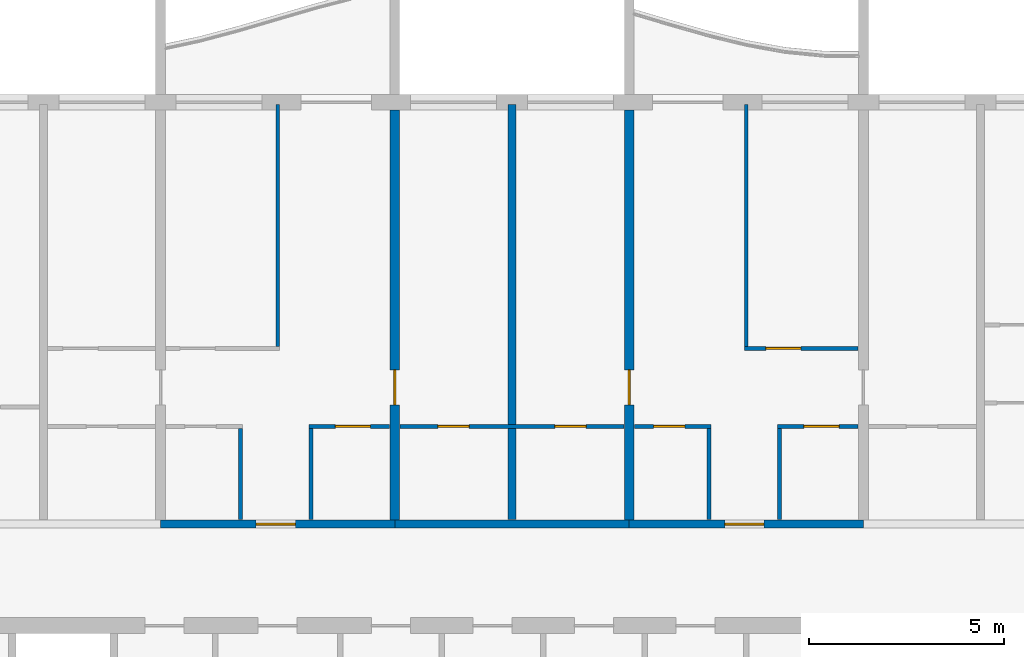
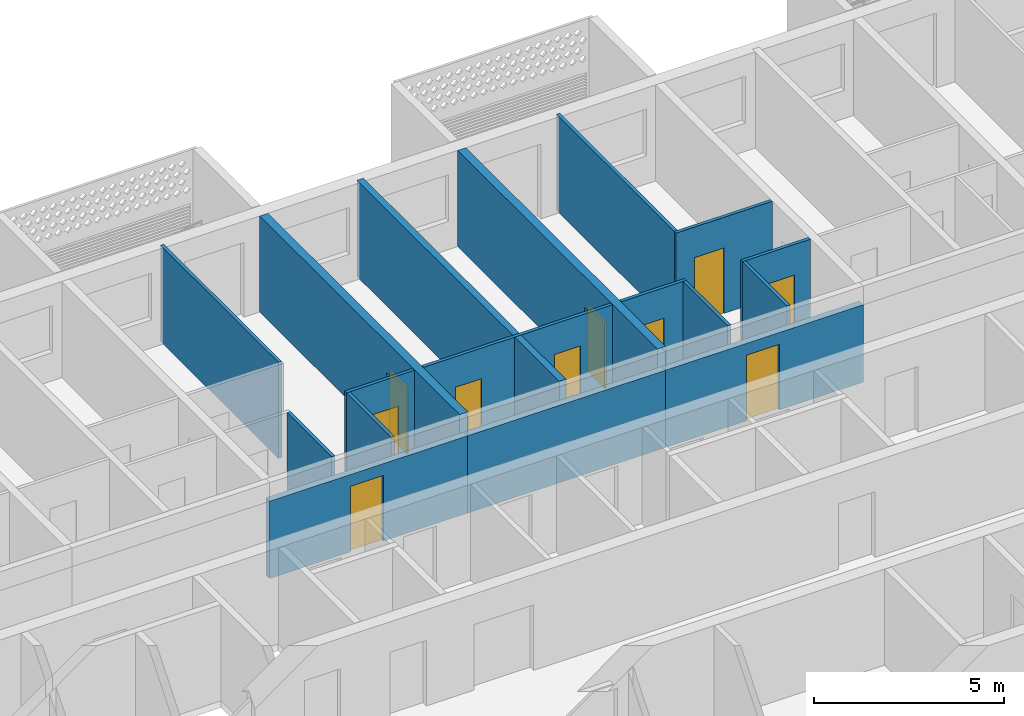
# One storey, part 9 of 27: 17 walls, 10 doors, 10 openings.
"""IFC4 building model written with IfcOpenShell, lengths in metres."""

from ifc_helpers import new_model, si_unit, direction, frame, frame_2d, origin, place, context, subcontext, project, spatial, rectangle, extrude, material, layer, layer_set, type_object, element, fill, save


model = new_model("IFC4")

# Units and contexts
model_context = context("Model", 3, precision=1e-05, world=origin(), true_north=direction((0.0, 1.0)))
body_context = subcontext(model_context, "Body", "Model", "MODEL_VIEW")
ifc_project = project(units=[si_unit("LENGTHUNIT", "METRE"), si_unit("AREAUNIT", "SQUARE_METRE"), si_unit("VOLUMEUNIT", "CUBIC_METRE"), si_unit("PLANEANGLEUNIT", "RADIAN"), si_unit("MASSUNIT", "GRAM", prefix="KILO")], contexts=[model_context])

# Site, building, storey
site_placement = place(None, origin())
site = spatial("IfcSite", under=ifc_project, at=site_placement, CompositionType="ELEMENT")
building_placement = place(site_placement, origin())
building = spatial("IfcBuilding", under=site, at=building_placement, Name="Poui Terraces", CompositionType="ELEMENT")
storey_placement = place(building_placement, frame((0.0, 0.0, 204.89990234375)))
storey = spatial("IfcBuildingStorey", under=building, at=storey_placement, Name="L57", CompositionType="ELEMENT", Elevation=204.89990234375)

# Wall, opening, door
ifc_material_1 = material(Name="Concrete 50 MPa", Category="concrete")
ifc_layer_1 = layer(ifc_material_1, 0.199951171875)
ifc_layer_set_1 = layer_set([ifc_layer_1], Name="Concrete 50 MPa")
wall_type_1 = type_object("IfcWallType", Name="CORRIDOR WALL 200 50MPa", PredefinedType="SHEAR", material=ifc_layer_set_1)
wall_1_placement = place(storey_placement, frame((48.0, 30.39990234375, 0.0), z_axis=(0.0, 0.0, 1.0), x_axis=(1.0, 0.0, 0.0)))
wall_1 = element("IfcWall", 1, at=wall_1_placement, inside=storey, type_object=wall_type_1, Name="CORRIDOR WALL LINE E BAY 6", PredefinedType="SHEAR", context=body_context, shape_type="SweptSolid", body=[
    extrude(rectangle(XDim=6.0, YDim=0.199951171875, at=frame_2d((3.0, 0.0))), origin(), (0.0, 0.0, 1.0), 2.47998046875),
])
opening_1_placement = place(wall_1_placement, frame((2.449951171875, 0.0, 0.0)))
opening_1 = element("IfcOpeningElement", 2, at=opening_1_placement, cuts=wall_1, Name="Opening FD30S", PredefinedType="OPENING", context=body_context, shape_type="SweptSolid", body=[
    extrude(rectangle(XDim=1.0, YDim=2.10009765625, at=frame_2d((0.5, 1.050048828125))), frame((0.0, 0.10986328125, 0.0), z_axis=(0.0, -1.0, 0.0), x_axis=(1.0, 0.0, 0.0)), (0.0, 0.0, 1.0), 0.219970703125),
])
ifc_material_2 = material(Name="Steel fire door", Category="steel")
door_type_1 = type_object("IfcDoorType", Name="FLAT ENTRANCE DOOR 1000 X 2100", OperationType="NOTDEFINED", PredefinedType="DOOR", material=ifc_material_2)
door_1_placement = place(opening_1_placement, origin())
door_1 = element("IfcDoor", 3, at=door_1_placement, inside=storey, type_object=door_type_1, Name="FLAT ENTRANCE DOOR 046", OperationType="SINGLE_SWING_LEFT", OverallHeight=2.10009765625, OverallWidth=1.0, PredefinedType="DOOR", context=body_context, shape_type="SweptSolid", body=[
    extrude(rectangle(XDim=1.0, YDim=2.10009765625, at=frame_2d((0.5, 1.050048828125))), frame((0.0, 0.02490234375, 0.0), z_axis=(0.0, -1.0, 0.0), x_axis=(1.0, 0.0, 0.0)), (0.0, 0.0, 1.0), 0.050048828125),
])
fill(opening_1, door_1)

# Wall
wall_2_placement = place(storey_placement, frame((54.0, 30.39990234375, 0.0), z_axis=(0.0, 0.0, 1.0), x_axis=(1.0, 0.0, 0.0)))
element("IfcWall", 4, at=wall_2_placement, inside=storey, type_object=wall_type_1, Name="CORRIDOR WALL LINE E BAY 7", PredefinedType="SHEAR", context=body_context, shape_type="SweptSolid", body=[
    extrude(rectangle(XDim=6.0, YDim=0.199951171875, at=frame_2d((3.0, 0.0))), origin(), (0.0, 0.0, 1.0), 2.47998046875),
])

# Wall, opening, door
wall_3_placement = place(storey_placement, frame((60.0, 30.39990234375, 0.0), z_axis=(0.0, 0.0, 1.0), x_axis=(1.0, 0.0, 0.0)))
wall_3 = element("IfcWall", 5, at=wall_3_placement, inside=storey, type_object=wall_type_1, Name="CORRIDOR WALL LINE E BAY 8", PredefinedType="SHEAR", context=body_context, shape_type="SweptSolid", body=[
    extrude(rectangle(XDim=6.0, YDim=0.199951171875, at=frame_2d((3.0, 0.0))), origin(), (0.0, 0.0, 1.0), 2.47998046875),
])
opening_2_placement = place(wall_3_placement, frame((2.449951171875, 0.0, 0.0)))
opening_2 = element("IfcOpeningElement", 6, at=opening_2_placement, cuts=wall_3, Name="Opening FD30S", PredefinedType="OPENING", context=body_context, shape_type="SweptSolid", body=[
    extrude(rectangle(XDim=1.0, YDim=2.10009765625, at=frame_2d((0.5, 1.050048828125))), frame((0.0, 0.10986328125, 0.0), z_axis=(0.0, -1.0, 0.0), x_axis=(1.0, 0.0, 0.0)), (0.0, 0.0, 1.0), 0.219970703125),
])
door_2_placement = place(opening_2_placement, origin())
door_2 = element("IfcDoor", 7, at=door_2_placement, inside=storey, type_object=door_type_1, Name="FLAT ENTRANCE DOOR 053", OperationType="SINGLE_SWING_LEFT", OverallHeight=2.10009765625, OverallWidth=1.0, PredefinedType="DOOR", context=body_context, shape_type="SweptSolid", body=[
    extrude(rectangle(XDim=1.0, YDim=2.10009765625, at=frame_2d((0.5, 1.050048828125))), frame((0.0, 0.02490234375, 0.0), z_axis=(0.0, -1.0, 0.0), x_axis=(1.0, 0.0, 0.0)), (0.0, 0.0, 1.0), 0.050048828125),
])
fill(opening_2, door_2)

ifc_layer_2 = layer(ifc_material_1, 0.25)
ifc_layer_set_2 = layer_set([ifc_layer_2], Name="Concrete 50 MPa")
wall_type_2 = type_object("IfcWallType", Name="CROSS WALL 250 50MPa", PredefinedType="SHEAR", material=ifc_layer_set_2)
wall_4_placement = place(storey_placement, frame((54.0, 30.5, 0.0), z_axis=(0.0, 0.0, 1.0), x_axis=(0.0, 1.0, 0.0)))
wall_4 = element("IfcWall", 8, at=wall_4_placement, inside=storey, type_object=wall_type_2, Name="CROSS WALL LINE 10 NORTH", PredefinedType="SHEAR", context=body_context, shape_type="SweptSolid", body=[
    extrude(rectangle(XDim=10.5, YDim=0.25, at=frame_2d((5.25, 0.0))), origin(), (0.0, 0.0, 1.0), 3.080078125),
])
opening_3_placement = place(wall_4_placement, frame((2.949951171875, 0.0, 0.0)))
opening_3 = element("IfcOpeningElement", 9, at=opening_3_placement, cuts=wall_4, Name="Opening D90", PredefinedType="OPENING", context=body_context, shape_type="SweptSolid", body=[
    extrude(rectangle(XDim=0.89990234375, YDim=2.10009765625, at=frame_2d((0.449951171875, 1.050048828125))), frame((0.0, 0.135009765625, 0.0), z_axis=(0.0, -1.0, 0.0), x_axis=(1.0, 0.0, 0.0)), (0.0, 0.0, 1.0), 0.27001953125),
])
ifc_material_3 = material(Name="Solid core timber door", Category="wood")
door_type_2 = type_object("IfcDoorType", Name="INTERNAL DOOR 900 X 2100", OperationType="NOTDEFINED", PredefinedType="DOOR", material=ifc_material_3)
door_3_placement = place(opening_3_placement, frame((0.89990234375, 0.0, 0.0), z_axis=(0.0, 0.0, 1.0), x_axis=(-1.0, 0.0, 0.0)))
door_3 = element("IfcDoor", 10, at=door_3_placement, inside=storey, type_object=door_type_2, Name="INTERNAL DOOR 048", OperationType="SINGLE_SWING_RIGHT", OverallHeight=2.10009765625, OverallWidth=0.89990234375, PredefinedType="DOOR", context=body_context, shape_type="SweptSolid", body=[
    extrude(rectangle(XDim=0.89990234375, YDim=2.10009765625, at=frame_2d((0.449951171875, 1.050048828125))), frame((0.0, 0.02490234375, 0.0), z_axis=(0.0, -1.0, 0.0), x_axis=(1.0, 0.0, 0.0)), (0.0, 0.0, 1.0), 0.050048828125),
])
fill(opening_3, door_3)

wall_5_placement = place(storey_placement, frame((60.0, 30.5, 0.0), z_axis=(0.0, 0.0, 1.0), x_axis=(0.0, 1.0, 0.0)))
wall_5 = element("IfcWall", 11, at=wall_5_placement, inside=storey, type_object=wall_type_2, Name="CROSS WALL LINE 11 NORTH", PredefinedType="SHEAR", context=body_context, shape_type="SweptSolid", body=[
    extrude(rectangle(XDim=10.5, YDim=0.25, at=frame_2d((5.25, 0.0))), origin(), (0.0, 0.0, 1.0), 3.080078125),
])
opening_4_placement = place(wall_5_placement, frame((2.949951171875, 0.0, 0.0)))
opening_4 = element("IfcOpeningElement", 12, at=opening_4_placement, cuts=wall_5, Name="Opening D90", PredefinedType="OPENING", context=body_context, shape_type="SweptSolid", body=[
    extrude(rectangle(XDim=0.89990234375, YDim=2.10009765625, at=frame_2d((0.449951171875, 1.050048828125))), frame((0.0, 0.135009765625, 0.0), z_axis=(0.0, -1.0, 0.0), x_axis=(1.0, 0.0, 0.0)), (0.0, 0.0, 1.0), 0.27001953125),
])
door_4_placement = place(opening_4_placement, origin())
door_4 = element("IfcDoor", 13, at=door_4_placement, inside=storey, type_object=door_type_2, Name="INTERNAL DOOR 051", OperationType="SINGLE_SWING_LEFT", OverallHeight=2.10009765625, OverallWidth=0.89990234375, PredefinedType="DOOR", context=body_context, shape_type="SweptSolid", body=[
    extrude(rectangle(XDim=0.89990234375, YDim=2.10009765625, at=frame_2d((0.449951171875, 1.050048828125))), frame((0.0, 0.02490234375, 0.0), z_axis=(0.0, -1.0, 0.0), x_axis=(1.0, 0.0, 0.0)), (0.0, 0.0, 1.0), 0.050048828125),
])
fill(opening_4, door_4)

ifc_material_4 = material(Name="Plasterboard partition")
ifc_layer_3 = layer(ifc_material_4, 0.10009765625)
ifc_layer_set_3 = layer_set([ifc_layer_3], Name="Plasterboard partition")
wall_type_3 = type_object("IfcWallType", Name="FLAT PARTITION 100", PredefinedType="PARTITIONING", material=ifc_layer_set_3)
wall_6_placement = place(storey_placement, frame((51.800048828125, 32.89990234375, 0.0), z_axis=(0.0, 0.0, 1.0), x_axis=(1.0, 0.0, 0.0)))
wall_6 = element("IfcWall", 14, at=wall_6_placement, inside=storey, type_object=wall_type_3, Name="FLAT PARTITION 100", PredefinedType="PARTITIONING", context=body_context, shape_type="SweptSolid", body=[
    extrude(rectangle(XDim=2.06494140625, YDim=0.10009765625, at=frame_2d((1.032470703125, 0.0))), origin(), (0.0, 0.0, 1.0), 3.080078125),
])
opening_5_placement = place(wall_6_placement, frame((0.675048828125, 0.0, 0.0)))
opening_5 = element("IfcOpeningElement", 15, at=opening_5_placement, cuts=wall_6, Name="Opening D90", PredefinedType="OPENING", context=body_context, shape_type="SweptSolid", body=[
    extrude(rectangle(XDim=0.89990234375, YDim=2.10009765625, at=frame_2d((0.449951171875, 1.050048828125))), frame((0.0, 0.06005859375, 0.0), z_axis=(0.0, -1.0, 0.0), x_axis=(1.0, 0.0, 0.0)), (0.0, 0.0, 1.0), 0.1201171875),
])
door_5_placement = place(opening_5_placement, frame((0.89990234375, 0.0, 0.0), z_axis=(0.0, 0.0, 1.0), x_axis=(-1.0, 0.0, 0.0)))
door_5 = element("IfcDoor", 16, at=door_5_placement, inside=storey, type_object=door_type_2, Name="INTERNAL DOOR 047", OperationType="SINGLE_SWING_LEFT", OverallHeight=2.10009765625, OverallWidth=0.89990234375, PredefinedType="DOOR", context=body_context, shape_type="SweptSolid", body=[
    extrude(rectangle(XDim=0.89990234375, YDim=2.10009765625, at=frame_2d((0.449951171875, 1.050048828125))), frame((0.0, 0.02490234375, 0.0), z_axis=(0.0, -1.0, 0.0), x_axis=(1.0, 0.0, 0.0)), (0.0, 0.0, 1.0), 0.050048828125),
])
fill(opening_5, door_5)

# Wall, openings, doors
wall_7_placement = place(storey_placement, frame((54.135009765625, 32.89990234375, 0.0), z_axis=(0.0, 0.0, 1.0), x_axis=(1.0, 0.0, 0.0)))
wall_7 = element("IfcWall", 17, at=wall_7_placement, inside=storey, type_object=wall_type_3, Name="FLAT PARTITION 100", PredefinedType="PARTITIONING", context=body_context, shape_type="SweptSolid", body=[
    extrude(rectangle(XDim=5.72998046875, YDim=0.10009765625, at=frame_2d((2.864990234375, 0.0))), origin(), (0.0, 0.0, 1.0), 3.080078125),
])
opening_6_placement = place(wall_7_placement, frame((0.965087890625, 0.0, 0.0)))
opening_6 = element("IfcOpeningElement", 18, at=opening_6_placement, cuts=wall_7, Name="Opening D80", PredefinedType="OPENING", context=body_context, shape_type="SweptSolid", body=[
    extrude(rectangle(XDim=0.800048828125, YDim=2.10009765625, at=frame_2d((0.39990234375, 1.050048828125))), frame((0.0, 0.06005859375, 0.0), z_axis=(0.0, -1.0, 0.0), x_axis=(1.0, 0.0, 0.0)), (0.0, 0.0, 1.0), 0.1201171875),
])
opening_7_placement = place(wall_7_placement, frame((3.965087890625, 0.0, 0.0)))
opening_7 = element("IfcOpeningElement", 19, at=opening_7_placement, cuts=wall_7, Name="Opening D80", PredefinedType="OPENING", context=body_context, shape_type="SweptSolid", body=[
    extrude(rectangle(XDim=0.800048828125, YDim=2.10009765625, at=frame_2d((0.39990234375, 1.050048828125))), frame((0.0, 0.06005859375, 0.0), z_axis=(0.0, -1.0, 0.0), x_axis=(1.0, 0.0, 0.0)), (0.0, 0.0, 1.0), 0.1201171875),
])
door_type_3 = type_object("IfcDoorType", Name="BATHROOM, LAUNDRY AND STORE DOOR 800 X 2100", OperationType="NOTDEFINED", PredefinedType="DOOR", material=ifc_material_3)
door_6_placement = place(opening_6_placement, frame((0.800048828125, 0.0, 0.0), z_axis=(0.0, 0.0, 1.0), x_axis=(-1.0, 0.0, 0.0)))
door_6 = element("IfcDoor", 20, at=door_6_placement, inside=storey, type_object=door_type_3, Name="BATHROOM, LAUNDRY AND STORE DOOR 040", OperationType="SINGLE_SWING_RIGHT", OverallHeight=2.10009765625, OverallWidth=0.800048828125, PredefinedType="DOOR", context=body_context, shape_type="SweptSolid", body=[
    extrude(rectangle(XDim=0.800048828125, YDim=2.10009765625, at=frame_2d((0.39990234375, 1.050048828125))), frame((0.0, 0.02490234375, 0.0), z_axis=(0.0, -1.0, 0.0), x_axis=(1.0, 0.0, 0.0)), (0.0, 0.0, 1.0), 0.050048828125),
])
fill(opening_6, door_6)
door_7_placement = place(opening_7_placement, frame((0.800048828125, 0.0, 0.0), z_axis=(0.0, 0.0, 1.0), x_axis=(-1.0, 0.0, 0.0)))
door_7 = element("IfcDoor", 21, at=door_7_placement, inside=storey, type_object=door_type_3, Name="BATHROOM, LAUNDRY AND STORE DOOR 049", OperationType="SINGLE_SWING_LEFT", OverallHeight=2.10009765625, OverallWidth=0.800048828125, PredefinedType="DOOR", context=body_context, shape_type="SweptSolid", body=[
    extrude(rectangle(XDim=0.800048828125, YDim=2.10009765625, at=frame_2d((0.39990234375, 1.050048828125))), frame((0.0, 0.02490234375, 0.0), z_axis=(0.0, -1.0, 0.0), x_axis=(1.0, 0.0, 0.0)), (0.0, 0.0, 1.0), 0.050048828125),
])
fill(opening_7, door_7)

# Wall, opening, door
wall_8_placement = place(storey_placement, frame((60.135009765625, 32.89990234375, 0.0), z_axis=(0.0, 0.0, 1.0), x_axis=(1.0, 0.0, 0.0)))
wall_8 = element("IfcWall", 22, at=wall_8_placement, inside=storey, type_object=wall_type_3, Name="FLAT PARTITION 100", PredefinedType="PARTITIONING", context=body_context, shape_type="SweptSolid", body=[
    extrude(rectangle(XDim=1.965087890625, YDim=0.10009765625, at=frame_2d((0.982421875, 0.0))), origin(), (0.0, 0.0, 1.0), 3.080078125),
])
opening_8_placement = place(wall_8_placement, frame((0.489990234375, 0.0, 0.0)))
opening_8 = element("IfcOpeningElement", 23, at=opening_8_placement, cuts=wall_8, Name="Opening D80", PredefinedType="OPENING", context=body_context, shape_type="SweptSolid", body=[
    extrude(rectangle(XDim=0.800048828125, YDim=2.10009765625, at=frame_2d((0.39990234375, 1.050048828125))), frame((0.0, 0.06005859375, 0.0), z_axis=(0.0, -1.0, 0.0), x_axis=(1.0, 0.0, 0.0)), (0.0, 0.0, 1.0), 0.1201171875),
])
door_8_placement = place(opening_8_placement, frame((0.800048828125, 0.0, 0.0), z_axis=(0.0, 0.0, 1.0), x_axis=(-1.0, 0.0, 0.0)))
door_8 = element("IfcDoor", 24, at=door_8_placement, inside=storey, type_object=door_type_3, Name="BATHROOM, LAUNDRY AND STORE DOOR 052", OperationType="SINGLE_SWING_LEFT", OverallHeight=2.10009765625, OverallWidth=0.800048828125, PredefinedType="DOOR", context=body_context, shape_type="SweptSolid", body=[
    extrude(rectangle(XDim=0.800048828125, YDim=2.10009765625, at=frame_2d((0.39990234375, 1.050048828125))), frame((0.0, 0.02490234375, 0.0), z_axis=(0.0, -1.0, 0.0), x_axis=(1.0, 0.0, 0.0)), (0.0, 0.0, 1.0), 0.050048828125),
])
fill(opening_8, door_8)

wall_9_placement = place(storey_placement, frame((63.800048828125, 32.89990234375, 0.0), z_axis=(0.0, 0.0, 1.0), x_axis=(1.0, 0.0, 0.0)))
wall_9 = element("IfcWall", 25, at=wall_9_placement, inside=storey, type_object=wall_type_3, Name="FLAT PARTITION 100", PredefinedType="PARTITIONING", context=body_context, shape_type="SweptSolid", body=[
    extrude(rectangle(XDim=2.06494140625, YDim=0.10009765625, at=frame_2d((1.032470703125, 0.0))), origin(), (0.0, 0.0, 1.0), 3.080078125),
])
opening_9_placement = place(wall_9_placement, frame((0.675048828125, 0.0, 0.0)))
opening_9 = element("IfcOpeningElement", 26, at=opening_9_placement, cuts=wall_9, Name="Opening D90", PredefinedType="OPENING", context=body_context, shape_type="SweptSolid", body=[
    extrude(rectangle(XDim=0.89990234375, YDim=2.10009765625, at=frame_2d((0.449951171875, 1.050048828125))), frame((0.0, 0.06005859375, 0.0), z_axis=(0.0, -1.0, 0.0), x_axis=(1.0, 0.0, 0.0)), (0.0, 0.0, 1.0), 0.1201171875),
])
door_9_placement = place(opening_9_placement, frame((0.89990234375, 0.0, 0.0), z_axis=(0.0, 0.0, 1.0), x_axis=(-1.0, 0.0, 0.0)))
door_9 = element("IfcDoor", 27, at=door_9_placement, inside=storey, type_object=door_type_2, Name="INTERNAL DOOR 055", OperationType="SINGLE_SWING_RIGHT", OverallHeight=2.10009765625, OverallWidth=0.89990234375, PredefinedType="DOOR", context=body_context, shape_type="SweptSolid", body=[
    extrude(rectangle(XDim=0.89990234375, YDim=2.10009765625, at=frame_2d((0.449951171875, 1.050048828125))), frame((0.0, 0.02490234375, 0.0), z_axis=(0.0, -1.0, 0.0), x_axis=(1.0, 0.0, 0.0)), (0.0, 0.0, 1.0), 0.050048828125),
])
fill(opening_9, door_9)

wall_10_placement = place(storey_placement, frame((62.949951171875, 34.89990234375, 0.0), z_axis=(0.0, 0.0, 1.0), x_axis=(1.0, 0.0, 0.0)))
wall_10 = element("IfcWall", 28, at=wall_10_placement, inside=storey, type_object=wall_type_3, Name="FLAT PARTITION 100", PredefinedType="PARTITIONING", context=body_context, shape_type="SweptSolid", body=[
    extrude(rectangle(XDim=2.9150390625, YDim=0.10009765625, at=frame_2d((1.45751953125, 0.0))), origin(), (0.0, 0.0, 1.0), 3.080078125),
])
opening_10_placement = place(wall_10_placement, frame((0.550048828125, 0.0, 0.0)))
opening_10 = element("IfcOpeningElement", 29, at=opening_10_placement, cuts=wall_10, Name="Opening D90", PredefinedType="OPENING", context=body_context, shape_type="SweptSolid", body=[
    extrude(rectangle(XDim=0.89990234375, YDim=2.10009765625, at=frame_2d((0.449951171875, 1.050048828125))), frame((0.0, 0.06005859375, 0.0), z_axis=(0.0, -1.0, 0.0), x_axis=(1.0, 0.0, 0.0)), (0.0, 0.0, 1.0), 0.1201171875),
])
door_10_placement = place(opening_10_placement, frame((0.89990234375, 0.0, 0.0), z_axis=(0.0, 0.0, 1.0), x_axis=(-1.0, 0.0, 0.0)))
door_10 = element("IfcDoor", 30, at=door_10_placement, inside=storey, type_object=door_type_2, Name="INTERNAL DOOR 054", OperationType="SINGLE_SWING_LEFT", OverallHeight=2.10009765625, OverallWidth=0.89990234375, PredefinedType="DOOR", context=body_context, shape_type="SweptSolid", body=[
    extrude(rectangle(XDim=0.89990234375, YDim=2.10009765625, at=frame_2d((0.449951171875, 1.050048828125))), frame((0.0, 0.02490234375, 0.0), z_axis=(0.0, -1.0, 0.0), x_axis=(1.0, 0.0, 0.0)), (0.0, 0.0, 1.0), 0.050048828125),
])
fill(opening_10, door_10)

# Walls
wall_11_placement = place(storey_placement, frame((50.050048828125, 30.510009765625, 0.0), z_axis=(0.0, 0.0, 1.0), x_axis=(0.0, 1.0, 0.0)))
element("IfcWall", 31, at=wall_11_placement, inside=storey, type_object=wall_type_3, Name="FLAT PARTITION 100", PredefinedType="PARTITIONING", context=body_context, shape_type="SweptSolid", body=[
    extrude(rectangle(XDim=2.340087890625, YDim=0.10009765625, at=frame_2d((1.169921875, 0.0))), origin(), (0.0, 0.0, 1.0), 3.080078125),
])
wall_12_placement = place(storey_placement, frame((51.0, 34.949951171875, 0.0), z_axis=(0.0, 0.0, 1.0), x_axis=(0.0, 1.0, 0.0)))
element("IfcWall", 32, at=wall_12_placement, inside=storey, type_object=wall_type_3, Name="FLAT PARTITION 100", PredefinedType="PARTITIONING", context=body_context, shape_type="SweptSolid", body=[
    extrude(rectangle(XDim=6.18994140625, YDim=0.10009765625, at=frame_2d((3.094970703125, 0.0))), origin(), (0.0, 0.0, 1.0), 3.080078125),
])
for number, where, z_axis, x_axis, name in (
    (33, (51.85009765625, 30.510009765625, 0.0), (0.0, 0.0, 1.0), (0.0, 1.0, 0.0), "FLAT PARTITION 100"),
    (34, (62.050048828125, 30.510009765625, 0.0), (0.0, 0.0, 1.0), (0.0, 1.0, 0.0), "FLAT PARTITION 100"),
):
    element("IfcWall", number, at=place(storey_placement, frame(where, z_axis=z_axis, x_axis=x_axis)), inside=storey, type_object=wall_type_3, Name=name, PredefinedType="PARTITIONING", context=body_context, shape_type="SweptSolid", body=[
        extrude(rectangle(XDim=2.340087890625, YDim=0.10009765625, at=frame_2d((1.169921875, 0.0))), origin(), (0.0, 0.0, 1.0), 3.080078125),
    ])
wall_13_placement = place(storey_placement, frame((63.0, 34.949951171875, 0.0), z_axis=(0.0, 0.0, 1.0), x_axis=(0.0, 1.0, 0.0)))
element("IfcWall", 35, at=wall_13_placement, inside=storey, type_object=wall_type_3, Name="FLAT PARTITION 100", PredefinedType="PARTITIONING", context=body_context, shape_type="SweptSolid", body=[
    extrude(rectangle(XDim=6.18994140625, YDim=0.10009765625, at=frame_2d((3.094970703125, 0.0))), origin(), (0.0, 0.0, 1.0), 3.080078125),
])
wall_14_placement = place(storey_placement, frame((63.85009765625, 30.510009765625, 0.0), z_axis=(0.0, 0.0, 1.0), x_axis=(0.0, 1.0, 0.0)))
element("IfcWall", 36, at=wall_14_placement, inside=storey, type_object=wall_type_3, Name="FLAT PARTITION 100", PredefinedType="PARTITIONING", context=body_context, shape_type="SweptSolid", body=[
    extrude(rectangle(XDim=2.340087890625, YDim=0.10009765625, at=frame_2d((1.169921875, 0.0))), origin(), (0.0, 0.0, 1.0), 3.080078125),
])
ifc_material_5 = material(Name="Fire-rated masonry wall", Category="masonry")
ifc_layer_4 = layer(ifc_material_5, 0.199951171875)
ifc_layer_set_4 = layer_set([ifc_layer_4], Name="Fire-rated masonry wall")
wall_type_4 = type_object("IfcWallType", Name="FLAT PARTY WALL 200", PredefinedType="PARTITIONING", material=ifc_layer_set_4)
wall_15_placement = place(storey_placement, frame((57.0, 30.510009765625, 0.0), z_axis=(0.0, 0.0, 1.0), x_axis=(0.0, 1.0, 0.0)))
element("IfcWall", 37, at=wall_15_placement, inside=storey, type_object=wall_type_4, Name="FLAT PARTY WALL 200", PredefinedType="PARTITIONING", context=body_context, shape_type="SweptSolid", body=[
    extrude(rectangle(XDim=10.6298828125, YDim=0.199951171875, at=frame_2d((5.31494140625, 0.0))), origin(), (0.0, 0.0, 1.0), 3.080078125),
])

save(model, "model.ifc")
